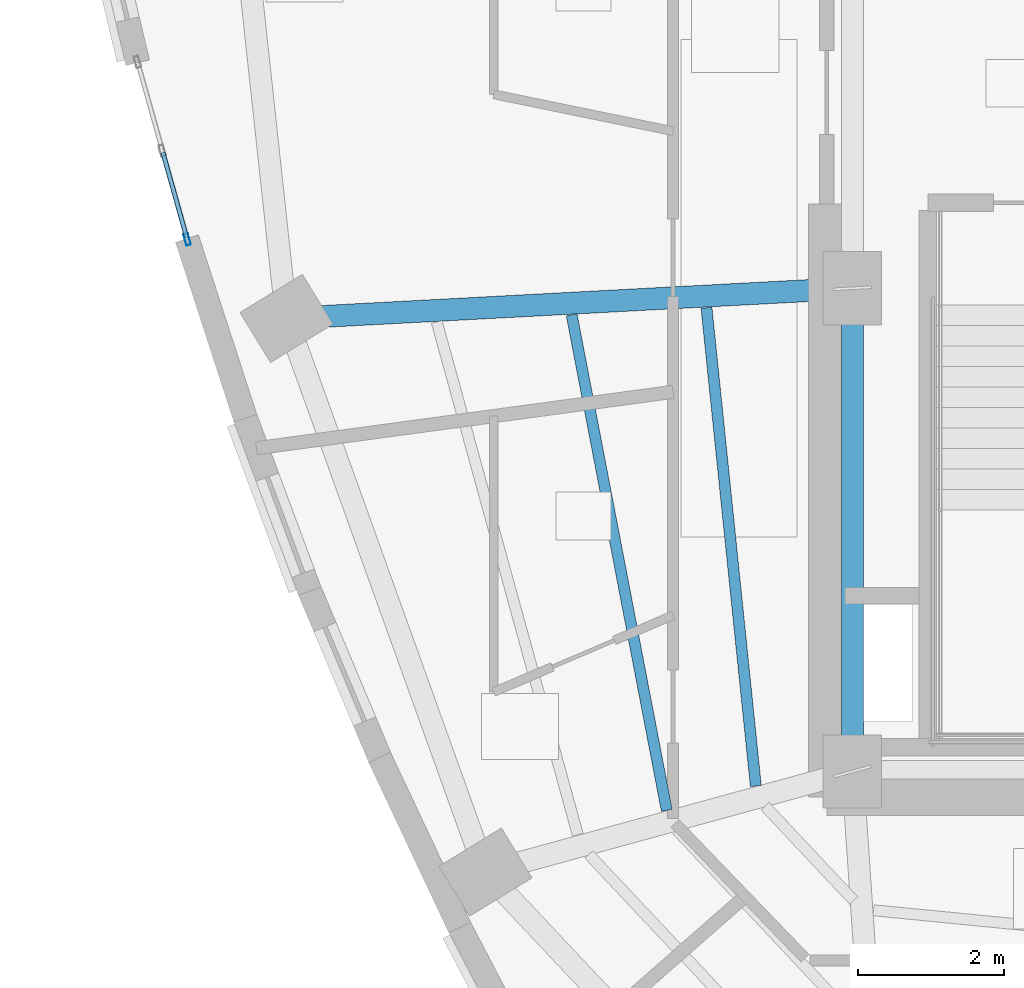
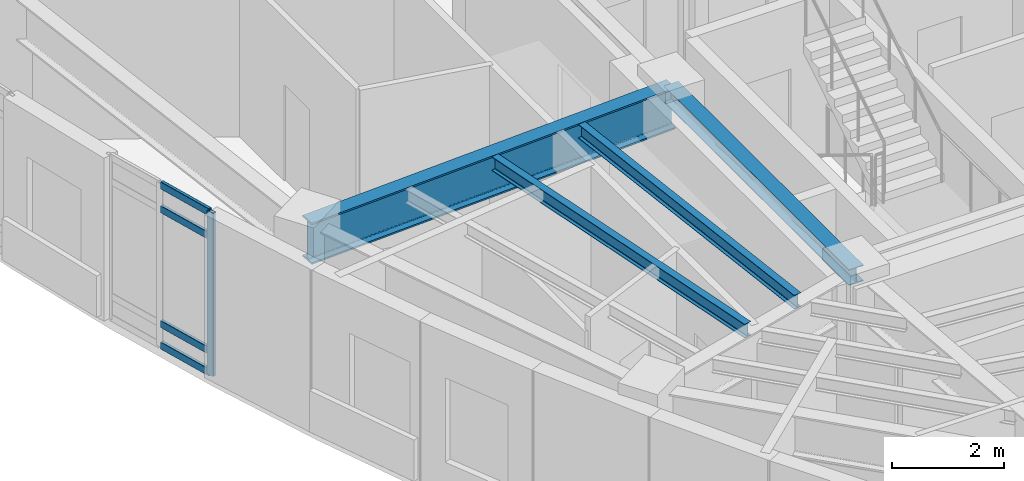
# One storey, part 2 of 16: 5 members, 4 beams, 1 element without a shape of its own.
"""IFC4 building model written with IfcOpenShell, lengths in metres."""

import ifcopenshell
import ifcopenshell.guid

model = None  # the IFC model being written
_history = None  # IfcOwnerHistory: only IFC2X3 demands one
_inside = {}  # id of a spatial element -> (the spatial element, [elements in it])
_under = {}  # id of a project, library or spatial element -> (it, [spatial elements below it])
_declared = {}  # id of a project -> (the project, [libraries it declares])
_typed = {}  # id of a type object -> (the type object, [elements of that type])
_made_of = {}  # id of a material, layer set ... -> (it, [elements and type objects made of it])


def new_model(schema):
    """Start an empty IFC model of exactly this schema.

    Asked for "IFC4X3", IfcOpenShell would pick the latest addendum, in which some entities
    have other attributes; the version numbers below select the first issue.
    IFC2X3 requires an IfcOwnerHistory on every rooted entity: one is made here for all.
    """
    global model, _history
    if schema == "IFC4X3":
        model = ifcopenshell.file(schema_version=(4, 3, 0, 0))
    else:
        model = ifcopenshell.file(schema=schema)
    _inside.clear()
    _under.clear()
    _declared.clear()
    _typed.clear()
    _made_of.clear()
    _history = None
    if model.schema == "IFC2X3":
        org = make("IfcOrganization", Name="unknown")
        user = make(
            "IfcPersonAndOrganization",
            ThePerson=make("IfcPerson", FamilyName="unknown"),
            TheOrganization=org,
        )
        app = make(
            "IfcApplication",
            ApplicationDeveloper=org,
            Version="unknown",
            ApplicationFullName="unknown",
            ApplicationIdentifier="unknown",
        )
        _history = make(
            "IfcOwnerHistory",
            OwningUser=user,
            OwningApplication=app,
            ChangeAction="ADDED",
            CreationDate=0,
        )
    return model


def make(cls, **values):
    """One entity of the class cls with the attributes given. An attribute that is None is left unset."""
    return model.create_entity(
        cls, **{name: value for name, value in values.items() if value is not None}
    )


def rooted(cls, **values):
    """An entity with a GlobalId (a new one), such as an element, a storey or a relation."""
    return make(cls, GlobalId=ifcopenshell.guid.new(), OwnerHistory=_history, **values)


def si_unit(unit_type, name, prefix=None):
    """IfcSIUnit, for example si_unit("LENGTHUNIT", "METRE", prefix="MILLI")."""
    return make("IfcSIUnit", UnitType=unit_type, Prefix=prefix, Name=name)


def assignment(units):
    """IfcUnitAssignment: the units of a project."""
    return None if units is None else make("IfcUnitAssignment", Units=units)


def point(xyz):
    """IfcCartesianPoint."""
    return None if xyz is None else make("IfcCartesianPoint", Coordinates=xyz)


def direction(xyz):
    """IfcDirection."""
    return None if xyz is None else make("IfcDirection", DirectionRatios=xyz)


def frame(location, z_axis=None, x_axis=None):
    """IfcAxis2Placement3D, a coordinate frame: its origin and axes. An axis left out is left unset."""
    return make(
        "IfcAxis2Placement3D",
        Location=point(location),
        Axis=direction(z_axis),
        RefDirection=direction(x_axis),
    )


def frame_2d(location, x_axis=None):
    """IfcAxis2Placement2D, a coordinate frame in the plane: its origin and x axis."""
    return make(
        "IfcAxis2Placement2D", Location=point(location), RefDirection=direction(x_axis)
    )


def origin():
    """The frame at (0, 0, 0) with its axes left unset."""
    return frame((0.0, 0.0, 0.0))


def origin_2d():
    """The frame at (0, 0) in the plane with its x axis left unset."""
    return frame_2d((0.0, 0.0))


def place(relative_to, where):
    """IfcLocalPlacement: puts the frame where relative to a parent placement (None: the world)."""
    return make(
        "IfcLocalPlacement", PlacementRelTo=relative_to, RelativePlacement=where
    )


def context(
    kind, dimensions, precision=None, world=None, true_north=None, identifier=None
):
    """IfcGeometricRepresentationContext, for example the 3D "Model" context."""
    return make(
        "IfcGeometricRepresentationContext",
        ContextIdentifier=identifier,
        ContextType=kind,
        CoordinateSpaceDimension=dimensions,
        Precision=precision,
        WorldCoordinateSystem=world,
        TrueNorth=true_north,
    )


def subcontext(parent, identifier, kind, view, scale=None):
    """IfcGeometricRepresentationSubContext, for example "Body" below "Model"."""
    return make(
        "IfcGeometricRepresentationSubContext",
        ContextIdentifier=identifier,
        ContextType=kind,
        ParentContext=parent,
        TargetScale=scale,
        TargetView=view,
    )


def project(units=None, contexts=None):
    """IfcProject with its units and contexts."""
    return rooted(
        "IfcProject",
        Name="project",
        RepresentationContexts=contexts,
        UnitsInContext=assignment(units),
    )


def spatial(cls, under=None, at=None, **own):
    """A site, building, storey or space (cls), placed at a placement, below another one or the project."""
    s = rooted(cls, ObjectPlacement=at, **own)
    if under is not None:
        _under.setdefault(under.id(), (under, []))[1].append(s)
    return s


def profile(cls, at=None, kind="AREA", **sizes):
    """A parametric profile (cls). Its sizes go by their IFC names, for example OverallWidth=200.0."""
    return make(cls, ProfileType=kind, Position=at, **sizes)


def hollow_rectangle(**sizes):
    """IfcRectangleHollowProfileDef."""
    return profile("IfcRectangleHollowProfileDef", **sizes)


def i_section(**sizes):
    """IfcIShapeProfileDef."""
    return profile("IfcIShapeProfileDef", **sizes)


def extrude(swept, where, along, depth):
    """IfcExtrudedAreaSolid: the profile swept, set in the frame where, extruded along a direction by depth."""
    return make(
        "IfcExtrudedAreaSolid",
        SweptArea=swept,
        Position=where,
        ExtrudedDirection=direction(along),
        Depth=depth,
    )


def shape(context_of_items, identifier, shape_type, items):
    """IfcShapeRepresentation: the items that make up one representation, for example the "Body"."""
    return make(
        "IfcShapeRepresentation",
        ContextOfItems=context_of_items,
        RepresentationIdentifier=identifier,
        RepresentationType=shape_type,
        Items=items,
    )


def material(Name=None, Category=None):
    """IfcMaterial."""
    return make("IfcMaterial", Name=Name, Category=Category)


def layer(
    of_material, thickness, ventilated=None, Name=None, Category=None, Priority=None
):
    """IfcMaterialLayer: one layer of a wall or slab, of a material (None: an air gap)."""
    return make(
        "IfcMaterialLayer",
        Material=of_material,
        LayerThickness=thickness,
        IsVentilated=ventilated,
        Name=Name,
        Category=Category,
        Priority=Priority,
    )


def layer_set(layers, Name=None):
    """IfcMaterialLayerSet."""
    return make("IfcMaterialLayerSet", MaterialLayers=layers, LayerSetName=Name)


def material_profile(
    of_material, cross_section, Name=None, Category=None, Priority=None
):
    """IfcMaterialProfile: a cross section and its material."""
    return make(
        "IfcMaterialProfile",
        Name=Name,
        Material=of_material,
        Profile=cross_section,
        Priority=Priority,
        Category=Category,
    )


def profile_set(profiles, Name=None, composite=None):
    """IfcMaterialProfileSet."""
    return make(
        "IfcMaterialProfileSet",
        Name=Name,
        MaterialProfiles=profiles,
        CompositeProfile=composite,
    )


def made_of(thing, what):
    """Note that an element or type object is made of a material, layer set ...; save() writes the relation."""
    if what is not None:
        _made_of.setdefault(what.id(), (what, []))[1].append(thing)
    return thing


def type_object(cls, material=None, **own):
    """A type object (cls), such as IfcWallType, which elements share."""
    return made_of(rooted(cls, **own), material)


def element(
    cls,
    number,
    at=None,
    inside=None,
    cuts=None,
    type_object=None,
    material=None,
    context=None,
    identifier="Body",
    shape_type=None,
    held_by="IfcProductDefinitionShape",
    body=None,
    shapes=None,
    **own,
):
    """One element of the class cls, such as IfcWall. Its Tag is "e" and its number.

    at: its placement. inside: the storey or other place that contains it. cuts: it is an
    opening in that element (IfcRelVoidsElement). A single representation is given by context,
    identifier, shape_type and body (its items); several are given by shapes. held_by: the class
    of the entity that holds the representations. save() writes the other relations.
    """
    e = rooted(cls, Tag="e%d" % number, ObjectPlacement=at, **own)
    if body is not None:
        shapes = [shape(context, identifier, shape_type, body)]
    if shapes is not None:
        e.Representation = make(held_by, Representations=shapes)
    if inside is not None:
        _inside.setdefault(inside.id(), (inside, []))[1].append(e)
    if cuts is not None:
        rooted(
            "IfcRelVoidsElement", RelatingBuildingElement=cuts, RelatedOpeningElement=e
        )
    if type_object is not None:
        _typed.setdefault(type_object.id(), (type_object, []))[1].append(e)
    return made_of(e, material)


def aggregate(whole, parts):
    """IfcRelAggregates: a whole, such as a stair, and the parts it consists of."""
    return rooted("IfcRelAggregates", RelatingObject=whole, RelatedObjects=parts)


def save(model, path):
    """Write the relations noted so far, then the file.

    IfcRelAggregates (storeys below a building ...), IfcRelContainedInSpatialStructure (elements
    in a storey), IfcRelDefinesByType, IfcRelAssociatesMaterial and IfcRelDeclares: one each for
    every whole, place, type object, material and project.
    """
    for whole, parts in _under.values():
        aggregate(whole, parts)
    for where, things in _inside.values():
        rooted(
            "IfcRelContainedInSpatialStructure",
            RelatedElements=things,
            RelatingStructure=where,
        )
    for kind, things in _typed.values():
        rooted("IfcRelDefinesByType", RelatedObjects=things, RelatingType=kind)
    for what, things in _made_of.values():
        rooted("IfcRelAssociatesMaterial", RelatedObjects=things, RelatingMaterial=what)
    for by, libraries in _declared.values():
        rooted("IfcRelDeclares", RelatingContext=by, RelatedDefinitions=libraries)
    model.write(path)


model = new_model("IFC4")

# Units and contexts
model_context = context("Model", 3, precision=1e-05, world=origin(), true_north=direction((0.0, 1.0)))
body_context = subcontext(model_context, "Body", "Model", "MODEL_VIEW")
ifc_project = project(units=[si_unit("LENGTHUNIT", "METRE"), si_unit("AREAUNIT", "SQUARE_METRE"), si_unit("VOLUMEUNIT", "CUBIC_METRE"), si_unit("PLANEANGLEUNIT", "RADIAN"), si_unit("MASSUNIT", "GRAM", prefix="KILO")], contexts=[model_context])

# Site, building, storey
site_placement = place(None, origin())
site = spatial("IfcSite", under=ifc_project, at=site_placement, CompositionType="ELEMENT")
building_placement = place(site_placement, origin())
building = spatial("IfcBuilding", under=site, at=building_placement, Name="Ndelora Gate Hotel", CompositionType="ELEMENT")
storey_placement = place(building_placement, frame((0.0, 0.0, 182.75)))
storey = spatial("IfcBuildingStorey", under=building, at=storey_placement, Name="L45", CompositionType="ELEMENT", Elevation=182.75)

# Beams
ifc_material_1 = material(Name="Steel S460", Category="steel")
ifc_material_profile_1 = material_profile(ifc_material_1, i_section(OverallWidth=0.300048828125, OverallDepth=0.89990234375, WebThickness=0.0185546875, FlangeThickness=0.034912109375, FilletRadius=0.030029296875, at=origin_2d()), Name="HEB 900")
ifc_profile_set_1 = profile_set([ifc_material_profile_1], Name="Steel S460")
beam_type_1 = type_object("IfcBeamType", Name="BM-BELT-900", PredefinedType="SPANDREL", material=ifc_profile_set_1)
beam_1_placement = place(storey_placement, frame((-8.0, 0.0, 3.10009765625), z_axis=(-0.998583554121, -0.053206065814, 0.0), x_axis=(0.053206065814, -0.998583554121, 0.0)))
element("IfcBeam", 1, at=beam_1_placement, inside=storey, type_object=beam_type_1, Name="L45 Radial Floor Girder 2", PredefinedType="SPANDREL", context=body_context, shape_type="SweptSolid", body=[
    extrude(i_section(OverallWidth=0.300048828125, OverallDepth=0.89990234375, WebThickness=0.0185546875, FlangeThickness=0.034912109375, FilletRadius=0.030029296875, at=origin_2d()), origin(), (0.0, 0.0, 1.0), 7.740966796875),
])
ifc_material_2 = material(Name="Steel S355", Category="steel")
ifc_material_profile_2 = material_profile(ifc_material_2, i_section(OverallWidth=0.300048828125, OverallDepth=0.35009765625, WebThickness=0.010009765625, FlangeThickness=0.017578125, FilletRadius=0.027099609375, at=origin_2d()), Name="HEA 360")
ifc_profile_set_2 = profile_set([ifc_material_profile_2], Name="Steel S355")
beam_type_2 = type_object("IfcBeamType", Name="BM-CORE-350", PredefinedType="BEAM", material=ifc_profile_set_2)
beam_2_placement = place(storey_placement, frame((-8.0, -6.60009765625, 3.375), z_axis=(0.0, 1.0, 0.0), x_axis=(-1.0, 0.0, 0.0)))
element("IfcBeam", 2, at=beam_2_placement, inside=storey, type_object=beam_type_2, Name="L45 Core Tie Girder CC1-CC8", PredefinedType="BEAM", context=body_context, shape_type="SweptSolid", body=[
    extrude(i_section(OverallWidth=0.300048828125, OverallDepth=0.35009765625, WebThickness=0.010009765625, FlangeThickness=0.017578125, FilletRadius=0.027099609375, at=origin_2d()), origin(), (0.0, 0.0, 1.0), 6.60009765625),
])
ifc_material_profile_3 = material_profile(ifc_material_2, i_section(OverallWidth=0.14990234375, OverallDepth=0.300048828125, WebThickness=0.007080078125, FlangeThickness=0.0107421875, FilletRadius=0.014892578125, at=origin_2d()), Name="IPE 300")
ifc_profile_set_3 = profile_set([ifc_material_profile_3], Name="Steel S355")
beam_type_3 = type_object("IfcBeamType", Name="BM-JST-300", PredefinedType="JOIST", material=ifc_profile_set_3)
beam_3_placement = place(storey_placement, frame((-9.993408203125, -0.26611328125, 3.39990234375), z_axis=(0.102613744173, -0.994721277297, 0.0), x_axis=(0.994721277297, 0.102613744173, 0.0)))
element("IfcBeam", 3, at=beam_3_placement, inside=storey, type_object=beam_type_3, Name="L45 Secondary Composite Floor Joist IN-2", PredefinedType="JOIST", context=body_context, shape_type="SweptSolid", body=[
    extrude(i_section(OverallWidth=0.14990234375, OverallDepth=0.300048828125, WebThickness=0.007080078125, FlangeThickness=0.0107421875, FilletRadius=0.014892578125, at=origin_2d()), origin(), (0.0, 0.0, 1.0), 6.566650390625),
])
beam_4_placement = place(storey_placement, frame((-11.834716796875, -0.363037109375, 3.39990234375), z_axis=(0.188464951995, -0.982079916234, 0.0), x_axis=(0.982079916234, 0.188464951995, 0.0)))
element("IfcBeam", 4, at=beam_4_placement, inside=storey, type_object=beam_type_3, Name="L45 Secondary Composite Floor Joist MID-2", PredefinedType="JOIST", context=body_context, shape_type="SweptSolid", body=[
    extrude(i_section(OverallWidth=0.14990234375, OverallDepth=0.300048828125, WebThickness=0.007080078125, FlangeThickness=0.0107421875, FilletRadius=0.014892578125, at=origin_2d()), origin(), (0.0, 0.0, 1.0), 6.890380859375),
])

# Curtain wall, members
ifc_material_3 = material(Name="Bronze Anodised Unitised Aluminium and Low-E Glass", Category="aluminium")
ifc_layer = layer(ifc_material_3, 0.2099609375)
ifc_layer_set = layer_set([ifc_layer], Name="Bronze Anodised Unitised Aluminium and Low-E Glass")
curtain_wall_type = type_object("IfcCurtainWallType", Name="CW-SYS-5", PredefinedType="NOTDEFINED", material=ifc_layer_set)
curtain_wall_placement = place(storey_placement, origin())
curtain_wall = element("IfcCurtainWall", 5, at=curtain_wall_placement, inside=storey, type_object=curtain_wall_type, Name="L45 Upper Sky-Lobby & Altitude Fitness Curtain Wall 2", PredefinedType="NOTDEFINED")
ifc_material_4 = material(Name="Bronze Anodised Aluminium 6063-T6", Category="aluminium")
ifc_material_profile_4 = material_profile(ifc_material_4, hollow_rectangle(XDim=0.06494140625, YDim=0.159912109375, WallThickness=0.00390625, InnerFilletRadius=0.00390625, OuterFilletRadius=0.008056640625, at=origin_2d()), Name="ALU 160x65x4")
ifc_profile_set_4 = profile_set([ifc_material_profile_4], Name="Bronze Anodised Aluminium 6063-T6")
member_type_1 = type_object("IfcMemberType", Name="MB-CW-MUL150", PredefinedType="MULLION", material=ifc_profile_set_4)
member_1_placement = place(storey_placement, frame((-17.0859375, 0.667236328125, -0.00390625), z_axis=(0.0, 0.0, 1.0), x_axis=(0.962949943866, 0.269680191355, 0.0)))
member_1 = element("IfcMember", 6, at=member_1_placement, type_object=member_type_1, Name="CW5 mullion 3", PredefinedType="MULLION", context=body_context, shape_type="SweptSolid", body=[
    extrude(hollow_rectangle(XDim=0.06494140625, YDim=0.159912109375, WallThickness=0.00390625, InnerFilletRadius=0.00390625, OuterFilletRadius=0.008056640625, at=origin_2d()), origin(), (0.0, 0.0, 1.0), 3.557861328125),
])
ifc_material_profile_5 = material_profile(ifc_material_4, hollow_rectangle(XDim=0.06494140625, YDim=0.159912109375, WallThickness=0.00390625, InnerFilletRadius=0.00390625, OuterFilletRadius=0.008056640625, at=origin_2d()), Name="ALU 160x65x4")
ifc_profile_set_5 = profile_set([ifc_material_profile_5], Name="Bronze Anodised Aluminium 6063-T6")
member_type_2 = type_object("IfcMemberType", Name="MB-CW-TRN150", PredefinedType="USERDEFINED", material=ifc_profile_set_5)
member_2_placement = place(storey_placement, frame((-17.418212890625, 1.853759765625, 0.032470703125), z_axis=(0.269690005106, -0.962947195409, 0.0), x_axis=(0.962947195409, 0.269690005106, 0.0)))
member_2 = element("IfcMember", 7, at=member_2_placement, type_object=member_type_2, Name="CW5 transom 2.1", ObjectType="TRANSOM", PredefinedType="USERDEFINED", context=body_context, shape_type="SweptSolid", body=[
    extrude(hollow_rectangle(XDim=0.06494140625, YDim=0.159912109375, WallThickness=0.00390625, InnerFilletRadius=0.00390625, OuterFilletRadius=0.008056640625, at=origin_2d()), origin(), (0.0, 0.0, 1.0), 1.205810546875),
])
member_3_placement = place(storey_placement, frame((-17.418212890625, 1.853759765625, 0.5), z_axis=(0.269690005106, -0.962947195409, 0.0), x_axis=(0.962947195409, 0.269690005106, 0.0)))
member_3 = element("IfcMember", 8, at=member_3_placement, type_object=member_type_2, Name="CW5 transom 2.2", ObjectType="TRANSOM", PredefinedType="USERDEFINED", context=body_context, shape_type="SweptSolid", body=[
    extrude(hollow_rectangle(XDim=0.06494140625, YDim=0.159912109375, WallThickness=0.00390625, InnerFilletRadius=0.00390625, OuterFilletRadius=0.008056640625, at=origin_2d()), origin(), (0.0, 0.0, 1.0), 1.205810546875),
])
member_4_placement = place(storey_placement, frame((-17.418212890625, 1.853759765625, 3.0), z_axis=(0.269690005106, -0.962947195409, 0.0), x_axis=(0.962947195409, 0.269690005106, 0.0)))
member_4 = element("IfcMember", 9, at=member_4_placement, type_object=member_type_2, Name="CW5 transom 2.3", ObjectType="TRANSOM", PredefinedType="USERDEFINED", context=body_context, shape_type="SweptSolid", body=[
    extrude(hollow_rectangle(XDim=0.06494140625, YDim=0.159912109375, WallThickness=0.00390625, InnerFilletRadius=0.00390625, OuterFilletRadius=0.008056640625, at=origin_2d()), origin(), (0.0, 0.0, 1.0), 1.205810546875),
])
member_5_placement = place(storey_placement, frame((-17.418212890625, 1.853759765625, 3.517578125), z_axis=(0.269690005106, -0.962947195409, 0.0), x_axis=(0.962947195409, 0.269690005106, 0.0)))
member_5 = element("IfcMember", 10, at=member_5_placement, type_object=member_type_2, Name="CW5 transom 2.4", ObjectType="TRANSOM", PredefinedType="USERDEFINED", context=body_context, shape_type="SweptSolid", body=[
    extrude(hollow_rectangle(XDim=0.06494140625, YDim=0.159912109375, WallThickness=0.00390625, InnerFilletRadius=0.00390625, OuterFilletRadius=0.008056640625, at=origin_2d()), origin(), (0.0, 0.0, 1.0), 1.205810546875),
])
aggregate(curtain_wall, [member_1, member_2, member_3, member_4, member_5])

save(model, "model.ifc")
